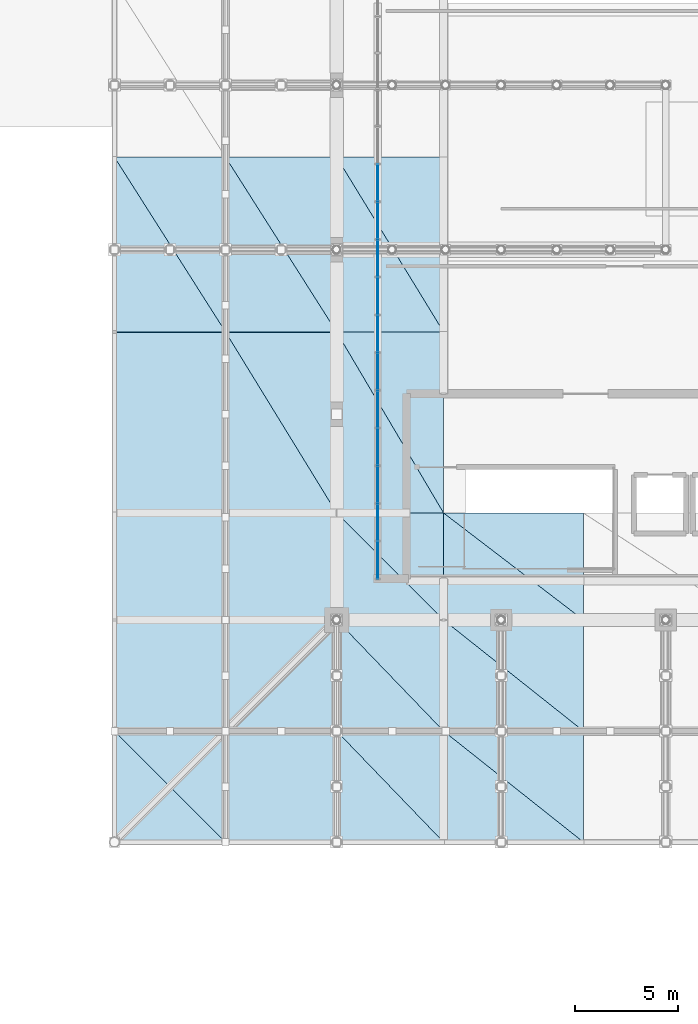
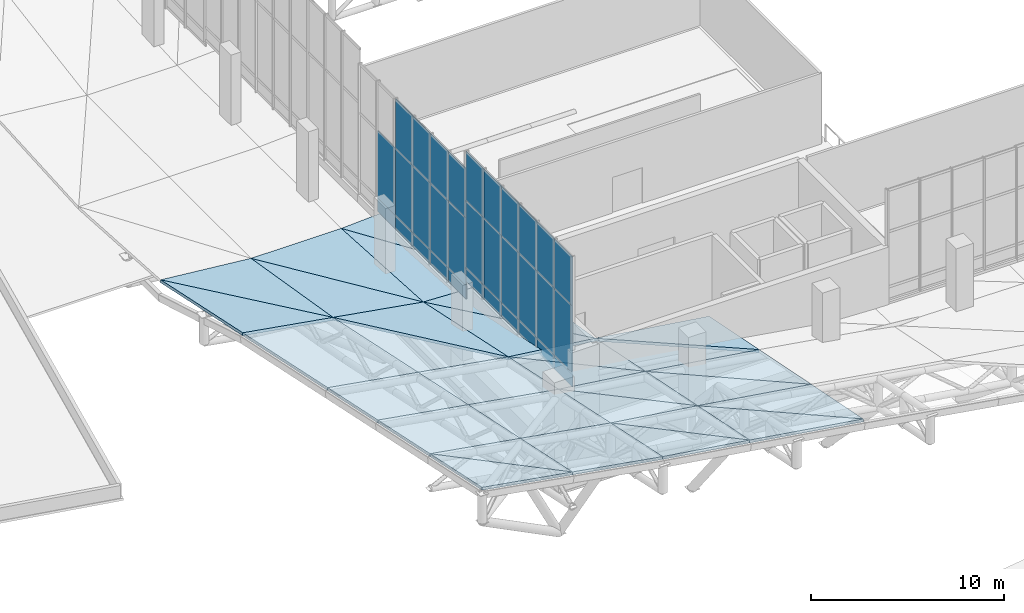
# One storey, part 102 of 137: 32 plates, 30 slabs, 3 elements without a shape of their own.
"""IFC4 building model written with IfcOpenShell, lengths in metres."""

from ifc_helpers import new_model, si_unit, direction, frame, origin, origin_2d, place, context, subcontext, project, spatial, polyline, rectangle, outline, extrude, material, layer, layer_set, type_object, element, aggregate, save


model = new_model("IFC4")

# Units and contexts
model_context = context("Model", 3, precision=1e-05, world=origin(), true_north=direction((0.0, 1.0)))
body_context = subcontext(model_context, "Body", "Model", "MODEL_VIEW")
ifc_project = project(units=[si_unit("LENGTHUNIT", "METRE"), si_unit("AREAUNIT", "SQUARE_METRE"), si_unit("VOLUMEUNIT", "CUBIC_METRE"), si_unit("PLANEANGLEUNIT", "RADIAN"), si_unit("MASSUNIT", "GRAM", prefix="KILO")], contexts=[model_context])

# Site, building, storey
site_placement = place(None, origin())
site = spatial("IfcSite", under=ifc_project, at=site_placement, CompositionType="ELEMENT")
building_placement = place(site_placement, origin())
building = spatial("IfcBuilding", under=site, at=building_placement, Name="Khorjan Park Terminus", CompositionType="ELEMENT")
storey_placement = place(building_placement, frame((0.0, 0.0, 11.4)))
storey = spatial("IfcBuildingStorey", under=building, at=storey_placement, Name="L02", CompositionType="ELEMENT", Elevation=11.4)

# Curtain wall, plates
ifc_material_1 = material(Name="Anodized Bronze Aluminium", Category="aluminium")
ifc_layer_1 = layer(ifc_material_1, 0.22)
ifc_layer_set_1 = layer_set([ifc_layer_1], Name="Anodized Bronze Aluminium")
curtain_wall_type = type_object("IfcCurtainWallType", Name="CW-CONC-CLR", PredefinedType="NOTDEFINED", material=ifc_layer_set_1)
curtain_wall_1_placement = place(storey_placement, origin())
curtain_wall_1 = element("IfcCurtainWall", 1, at=curtain_wall_1_placement, inside=storey, type_object=curtain_wall_type, Name="Unitized curtain wall CW-CL (CW-V2-W-CLR-01)", PredefinedType="NOTDEFINED")
ifc_material_2 = material(Name="Acoustic Laminated Solar Glazing", Category="glass")
ifc_layer_2 = layer(ifc_material_2, 0.036)
ifc_layer_set_2 = layer_set([ifc_layer_2], Name="Acoustic Laminated Solar Glazing")
plate_type_1 = type_object("IfcPlateType", Name="GL-VIS-36", PredefinedType="CURTAIN_PANEL", material=ifc_layer_set_2)
plate_1_placement = place(storey_placement, frame((50.0, 38.0833, 2.941), z_axis=(0.0, 0.0, 1.0), x_axis=(0.0, -1.0, 0.0)))
plate_1 = element("IfcPlate", 2, at=plate_1_placement, type_object=plate_type_1, Name="Curtain-wall panel VP-36 (CW-V2-W-CLR-01-0-2)", PredefinedType="CURTAIN_PANEL", context=body_context, shape_type="SweptSolid", body=[
    extrude(rectangle(XDim=1.8333, YDim=0.036, at=origin_2d()), origin(), (0.0, 0.0, 1.0), 4.2404),
])
plate_2_placement = place(storey_placement, frame((50.0, 38.0833, 7.1814), z_axis=(0.0, 0.0, 1.0), x_axis=(0.0, -1.0, 0.0)))
plate_2 = element("IfcPlate", 3, at=plate_2_placement, type_object=plate_type_1, Name="Curtain-wall panel VP-36 (CW-V2-W-CLR-01-0-3)", PredefinedType="CURTAIN_PANEL", context=body_context, shape_type="SweptSolid", body=[
    extrude(rectangle(XDim=1.8333, YDim=0.036, at=origin_2d()), origin(), (0.0, 0.0, 1.0), 3.1299),
])
plate_3_placement = place(storey_placement, frame((50.0, 36.25, 2.941), z_axis=(0.0, 0.0, 1.0), x_axis=(0.0, -1.0, 0.0)))
plate_3 = element("IfcPlate", 4, at=plate_3_placement, type_object=plate_type_1, Name="Curtain-wall panel VP-36 (CW-V2-W-CLR-01-1-2)", PredefinedType="CURTAIN_PANEL", context=body_context, shape_type="SweptSolid", body=[
    extrude(rectangle(XDim=1.8333, YDim=0.036, at=origin_2d()), origin(), (0.0, 0.0, 1.0), 4.2404),
])
plate_4_placement = place(storey_placement, frame((50.0, 36.25, 7.1814), z_axis=(0.0, 0.0, 1.0), x_axis=(0.0, -1.0, 0.0)))
plate_4 = element("IfcPlate", 5, at=plate_4_placement, type_object=plate_type_1, Name="Curtain-wall panel VP-36 (CW-V2-W-CLR-01-1-3)", PredefinedType="CURTAIN_PANEL", context=body_context, shape_type="SweptSolid", body=[
    extrude(rectangle(XDim=1.8333, YDim=0.036, at=origin_2d()), origin(), (0.0, 0.0, 1.0), 3.1299),
])
plate_5_placement = place(storey_placement, frame((50.0, 34.4167, 2.941), z_axis=(0.0, 0.0, 1.0), x_axis=(0.0, -1.0, 0.0)))
plate_5 = element("IfcPlate", 6, at=plate_5_placement, type_object=plate_type_1, Name="Curtain-wall panel VP-36 (CW-V2-W-CLR-01-2-2)", PredefinedType="CURTAIN_PANEL", context=body_context, shape_type="SweptSolid", body=[
    extrude(rectangle(XDim=1.8333, YDim=0.036, at=origin_2d()), origin(), (0.0, 0.0, 1.0), 4.2404),
])
plate_6_placement = place(storey_placement, frame((50.0, 34.4167, 7.1814), z_axis=(0.0, 0.0, 1.0), x_axis=(0.0, -1.0, 0.0)))
plate_6 = element("IfcPlate", 7, at=plate_6_placement, type_object=plate_type_1, Name="Curtain-wall panel VP-36 (CW-V2-W-CLR-01-2-3)", PredefinedType="CURTAIN_PANEL", context=body_context, shape_type="SweptSolid", body=[
    extrude(rectangle(XDim=1.8333, YDim=0.036, at=origin_2d()), origin(), (0.0, 0.0, 1.0), 3.1299),
])
plate_7_placement = place(storey_placement, frame((50.0, 32.5833, 2.941), z_axis=(0.0, 0.0, 1.0), x_axis=(0.0, -1.0, 0.0)))
plate_7 = element("IfcPlate", 8, at=plate_7_placement, type_object=plate_type_1, Name="Curtain-wall panel VP-36 (CW-V2-W-CLR-01-3-2)", PredefinedType="CURTAIN_PANEL", context=body_context, shape_type="SweptSolid", body=[
    extrude(rectangle(XDim=1.8333, YDim=0.036, at=origin_2d()), origin(), (0.0, 0.0, 1.0), 4.2404),
])
plate_8_placement = place(storey_placement, frame((50.0, 32.5833, 7.1814), z_axis=(0.0, 0.0, 1.0), x_axis=(0.0, -1.0, 0.0)))
plate_8 = element("IfcPlate", 9, at=plate_8_placement, type_object=plate_type_1, Name="Curtain-wall panel VP-36 (CW-V2-W-CLR-01-3-3)", PredefinedType="CURTAIN_PANEL", context=body_context, shape_type="SweptSolid", body=[
    extrude(rectangle(XDim=1.8333, YDim=0.036, at=origin_2d()), origin(), (0.0, 0.0, 1.0), 3.1299),
])
plate_9_placement = place(storey_placement, frame((50.0, 30.75, 2.941), z_axis=(0.0, 0.0, 1.0), x_axis=(0.0, -1.0, 0.0)))
plate_9 = element("IfcPlate", 10, at=plate_9_placement, type_object=plate_type_1, Name="Curtain-wall panel VP-36 (CW-V2-W-CLR-01-4-2)", PredefinedType="CURTAIN_PANEL", context=body_context, shape_type="SweptSolid", body=[
    extrude(rectangle(XDim=1.8333, YDim=0.036, at=origin_2d()), origin(), (0.0, 0.0, 1.0), 4.2404),
])
plate_10_placement = place(storey_placement, frame((50.0, 30.75, 7.1814), z_axis=(0.0, 0.0, 1.0), x_axis=(0.0, -1.0, 0.0)))
plate_10 = element("IfcPlate", 11, at=plate_10_placement, type_object=plate_type_1, Name="Curtain-wall panel VP-36 (CW-V2-W-CLR-01-4-3)", PredefinedType="CURTAIN_PANEL", context=body_context, shape_type="SweptSolid", body=[
    extrude(rectangle(XDim=1.8333, YDim=0.036, at=origin_2d()), origin(), (0.0, 0.0, 1.0), 3.1299),
])
plate_11_placement = place(storey_placement, frame((50.0, 28.9167, 2.941), z_axis=(0.0, 0.0, 1.0), x_axis=(0.0, -1.0, 0.0)))
plate_11 = element("IfcPlate", 12, at=plate_11_placement, type_object=plate_type_1, Name="Curtain-wall panel VP-36 (CW-V2-W-CLR-01-5-2)", PredefinedType="CURTAIN_PANEL", context=body_context, shape_type="SweptSolid", body=[
    extrude(rectangle(XDim=1.8333, YDim=0.036, at=origin_2d()), origin(), (0.0, 0.0, 1.0), 4.2404),
])
plate_12_placement = place(storey_placement, frame((50.0, 28.9167, 7.1814), z_axis=(0.0, 0.0, 1.0), x_axis=(0.0, -1.0, 0.0)))
plate_12 = element("IfcPlate", 13, at=plate_12_placement, type_object=plate_type_1, Name="Curtain-wall panel VP-36 (CW-V2-W-CLR-01-5-3)", PredefinedType="CURTAIN_PANEL", context=body_context, shape_type="SweptSolid", body=[
    extrude(rectangle(XDim=1.8333, YDim=0.036, at=origin_2d()), origin(), (0.0, 0.0, 1.0), 3.1299),
])

curtain_wall_2_placement = place(storey_placement, origin())
curtain_wall_2 = element("IfcCurtainWall", 14, at=curtain_wall_2_placement, inside=storey, type_object=curtain_wall_type, Name="Unitized curtain wall CW-CL (CW-V2-W-CLR-02)", PredefinedType="NOTDEFINED")
plate_13_placement = place(storey_placement, frame((50.0, 47.25, 1.8), z_axis=(0.0, 0.0, 1.0), x_axis=(0.0, -1.0, 0.0)))
plate_13 = element("IfcPlate", 15, at=plate_13_placement, type_object=plate_type_1, Name="Curtain-wall panel VP-36 (CW-V2-W-CLR-02-1-2)", PredefinedType="CURTAIN_PANEL", context=body_context, shape_type="SweptSolid", body=[
    extrude(rectangle(XDim=1.8333, YDim=0.036, at=origin_2d()), origin(), (0.0, 0.0, 1.0), 4.2512),
])
plate_14_placement = place(storey_placement, frame((50.0, 45.4167, 1.8), z_axis=(0.0, 0.0, 1.0), x_axis=(0.0, -1.0, 0.0)))
plate_14 = element("IfcPlate", 16, at=plate_14_placement, type_object=plate_type_1, Name="Curtain-wall panel VP-36 (CW-V2-W-CLR-02-2-2)", PredefinedType="CURTAIN_PANEL", context=body_context, shape_type="SweptSolid", body=[
    extrude(rectangle(XDim=1.8333, YDim=0.036, at=origin_2d()), origin(), (0.0, 0.0, 1.0), 4.2512),
])
plate_15_placement = place(storey_placement, frame((50.0, 45.4167, 6.0512), z_axis=(0.0, 0.0, 1.0), x_axis=(0.0, -1.0, 0.0)))
plate_15 = element("IfcPlate", 17, at=plate_15_placement, type_object=plate_type_1, Name="Curtain-wall panel VP-36 (CW-V2-W-CLR-02-2-3)", PredefinedType="CURTAIN_PANEL", context=body_context, shape_type="SweptSolid", body=[
    extrude(rectangle(XDim=1.8333, YDim=0.036, at=origin_2d()), origin(), (0.0, 0.0, 1.0), 3.1366),
])
plate_16_placement = place(storey_placement, frame((50.0, 43.5833, 1.8), z_axis=(0.0, 0.0, 1.0), x_axis=(0.0, -1.0, 0.0)))
plate_16 = element("IfcPlate", 18, at=plate_16_placement, type_object=plate_type_1, Name="Curtain-wall panel VP-36 (CW-V2-W-CLR-02-3-2)", PredefinedType="CURTAIN_PANEL", context=body_context, shape_type="SweptSolid", body=[
    extrude(rectangle(XDim=1.8333, YDim=0.036, at=origin_2d()), origin(), (0.0, 0.0, 1.0), 4.2512),
])
plate_17_placement = place(storey_placement, frame((50.0, 43.5833, 6.0512), z_axis=(0.0, 0.0, 1.0), x_axis=(0.0, -1.0, 0.0)))
plate_17 = element("IfcPlate", 19, at=plate_17_placement, type_object=plate_type_1, Name="Curtain-wall panel VP-36 (CW-V2-W-CLR-02-3-3)", PredefinedType="CURTAIN_PANEL", context=body_context, shape_type="SweptSolid", body=[
    extrude(rectangle(XDim=1.8333, YDim=0.036, at=origin_2d()), origin(), (0.0, 0.0, 1.0), 3.1366),
])
plate_18_placement = place(storey_placement, frame((50.0, 41.75, 1.8), z_axis=(0.0, 0.0, 1.0), x_axis=(0.0, -1.0, 0.0)))
plate_18 = element("IfcPlate", 20, at=plate_18_placement, type_object=plate_type_1, Name="Curtain-wall panel VP-36 (CW-V2-W-CLR-02-4-2)", PredefinedType="CURTAIN_PANEL", context=body_context, shape_type="SweptSolid", body=[
    extrude(rectangle(XDim=1.8333, YDim=0.036, at=origin_2d()), origin(), (0.0, 0.0, 1.0), 4.2512),
])
plate_19_placement = place(storey_placement, frame((50.0, 41.75, 6.0512), z_axis=(0.0, 0.0, 1.0), x_axis=(0.0, -1.0, 0.0)))
plate_19 = element("IfcPlate", 21, at=plate_19_placement, type_object=plate_type_1, Name="Curtain-wall panel VP-36 (CW-V2-W-CLR-02-4-3)", PredefinedType="CURTAIN_PANEL", context=body_context, shape_type="SweptSolid", body=[
    extrude(rectangle(XDim=1.8333, YDim=0.036, at=origin_2d()), origin(), (0.0, 0.0, 1.0), 3.1366),
])
plate_20_placement = place(storey_placement, frame((50.0, 39.9167, 1.8), z_axis=(0.0, 0.0, 1.0), x_axis=(0.0, -1.0, 0.0)))
plate_20 = element("IfcPlate", 22, at=plate_20_placement, type_object=plate_type_1, Name="Curtain-wall panel VP-36 (CW-V2-W-CLR-02-5-2)", PredefinedType="CURTAIN_PANEL", context=body_context, shape_type="SweptSolid", body=[
    extrude(rectangle(XDim=1.8333, YDim=0.036, at=origin_2d()), origin(), (0.0, 0.0, 1.0), 4.2512),
])
plate_21_placement = place(storey_placement, frame((50.0, 39.9167, 6.0512), z_axis=(0.0, 0.0, 1.0), x_axis=(0.0, -1.0, 0.0)))
plate_21 = element("IfcPlate", 23, at=plate_21_placement, type_object=plate_type_1, Name="Curtain-wall panel VP-36 (CW-V2-W-CLR-02-5-3)", PredefinedType="CURTAIN_PANEL", context=body_context, shape_type="SweptSolid", body=[
    extrude(rectangle(XDim=1.8333, YDim=0.036, at=origin_2d()), origin(), (0.0, 0.0, 1.0), 3.1366),
])

# Roof, slabs
ifc_material_3 = material(Name="Concrete C50/60", Category="concrete")
ifc_layer_3 = layer(ifc_material_3, 0.16)
ifc_layer_set_3 = layer_set([ifc_layer_3], Name="Concrete C50/60")
roof_type = type_object("IfcRoofType", Name="RF-SHELL-LOWER", PredefinedType="FREEFORM", material=ifc_layer_set_3)
roof_placement = place(storey_placement, origin())
roof = element("IfcRoof", 24, at=roof_placement, inside=storey, type_object=roof_type, Name="Lower 4-sided wrapping folded concrete shell roof RF-CS2 (1)", PredefinedType="FREEFORM")
ifc_layer_4 = layer(ifc_material_3, 0.16)
ifc_layer_set_4 = layer_set([ifc_layer_4], Name="Concrete C50/60")
slab_type = type_object("IfcSlabType", Name="SL-SHL-160", PredefinedType="ROOF", material=ifc_layer_set_4)
slab_1_placement = place(storey_placement, frame((37.2, 15.2, 7.96), z_axis=(0.163710777019, 0.204866318933, 0.965001851218), x_axis=(0.985913104802, 0.0, -0.167258332465)))
slab_1 = element("IfcSlab", 25, at=slab_1_placement, type_object=slab_type, Name="Lower 4-sided wrapping folded concrete shell facet RS-16 (1)", PredefinedType="ROOF", context=body_context, shape_type="SweptSolid", body=[
    extrude(outline(polyline([(0.0, 0.0), (5.477156124303925, -5.551115123125783e-17), (0.19174495233755443, 5.517016116820132), (0.0, 0.0)])), origin(), (0.0, 0.0, -1.0), 0.16),
])
slab_2_placement = place(storey_placement, frame((42.6, 15.2, 7.0439), z_axis=(0.163693984756, 0.204849797735, 0.965008207075), x_axis=(0.0, 0.978203025949, -0.207650764564)))
slab_2 = element("IfcSlab", 26, at=slab_2_placement, type_object=slab_type, Name="Lower 4-sided wrapping folded concrete shell facet RS-16 (2)", PredefinedType="ROOF", context=body_context, shape_type="SweptSolid", body=[
    extrude(outline(polyline([(0.0, 0.0), (5.520326411544884, 5.551115123125783e-17), (5.330118311204284, 5.473835664190588), (0.0, 0.0)])), origin(), (0.0, 0.0, -1.0), 0.16),
])
slab_3_placement = place(storey_placement, frame((37.2, 20.6, 6.8136), z_axis=(0.163702380927, 0.204858058376, 0.965005029208), x_axis=(0.985914673299, -1.804674e-06, -0.167249086609)))
slab_3 = element("IfcSlab", 27, at=slab_3_placement, type_object=slab_type, Name="Lower 4-sided wrapping folded concrete shell facet RS-16 (3)", PredefinedType="ROOF", context=body_context, shape_type="SweptSolid", body=[
    extrude(outline(polyline([(0.0, 0.0), (5.477139399145497, 0.0), (5.668864006792313, 5.517016823655206), (0.19170788273815503, 5.516996626369094), (0.0, 0.0)])), origin(), (0.0, 0.0, -1.0), 0.16),
])
slab_4_placement = place(storey_placement, frame((37.2, 26.0, 5.6673), z_axis=(0.163711030587, 0.204859075678, 0.965003345889), x_axis=(0.985913104802, 0.0, -0.167258332465)))
slab_4 = element("IfcSlab", 28, at=slab_4_placement, type_object=slab_type, Name="Lower 4-sided wrapping folded concrete shell facet RS-16 (4)", PredefinedType="ROOF", context=body_context, shape_type="SweptSolid", body=[
    extrude(outline(polyline([(0.0, 0.0), (5.477156124303924, 2.7755575615628914e-17), (5.661792597511728, 5.312673957882357), (0.18463647320780374, 5.312673957882357), (0.0, 0.0)])), origin(), (0.0, 0.0, -1.0), 0.16),
])
slab_5_placement = place(storey_placement, frame((37.2, 31.2, 4.5634), z_axis=(0.163710804262, 0.204865540733, 0.965002011805), x_axis=(0.985913104802, 0.0, -0.167258332465)))
slab_5 = element("IfcSlab", 29, at=slab_5_placement, type_object=slab_type, Name="Lower 4-sided wrapping folded concrete shell facet RS-16 (5)", PredefinedType="ROOF", context=body_context, shape_type="SweptSolid", body=[
    extrude(outline(polyline([(0.0, 0.0), (5.477156124303924, 2.7755575615628914e-17), (5.789628141014514, 8.990691434966102), (0.31247201671058894, 8.990691434966102), (0.0, 0.0)])), origin(), (0.0, 0.0, -1.0), 0.16),
])
slab_6_placement = place(storey_placement, frame((37.2, 40.0, 2.6952), z_axis=(0.16371084753, 0.204864304769, 0.965002266853), x_axis=(0.985913104802, 0.0, -0.167258332465)))
slab_6 = element("IfcSlab", 30, at=slab_6_placement, type_object=slab_type, Name="Lower 4-sided wrapping folded concrete shell facet RS-16 (6)", PredefinedType="ROOF", context=body_context, shape_type="SweptSolid", body=[
    extrude(outline(polyline([(0.0, 0.0), (5.477156124303924, 0.0), (0.3018176609325865, 8.684188295376211), (0.0, 0.0)])), origin(), (0.0, 0.0, -1.0), 0.16),
])
slab_7_placement = place(storey_placement, frame((42.6, 40.0, 1.7791), z_axis=(0.096483848537, 0.163905438783, 0.981746338984), x_axis=(0.0, 0.986348096439, -0.164673715724)))
slab_7 = element("IfcSlab", 31, at=slab_7_placement, type_object=slab_type, Name="Lower 4-sided wrapping folded concrete shell facet RS-16 (7)", PredefinedType="ROOF", context=body_context, shape_type="SweptSolid", body=[
    extrude(outline(polyline([(0.0, 0.0), (8.61764728971893, -2.7755575615628914e-17), (8.53025494878401, 5.4253115181292495), (0.0, 0.0)])), origin(), (0.0, 0.0, -1.0), 0.16),
])
slab_8_placement = place(storey_placement, frame((42.6, 15.2, 7.0439), z_axis=(0.163702380927, 0.204858058376, 0.965005029208), x_axis=(0.985914673299, -1.804674e-06, -0.167249086609)))
slab_8 = element("IfcSlab", 32, at=slab_8_placement, type_object=slab_type, Name="Lower 4-sided wrapping folded concrete shell facet RS-16 (19)", PredefinedType="ROOF", context=body_context, shape_type="SweptSolid", body=[
    extrude(outline(polyline([(0.0, 0.0), (5.477139399145497, -2.7755575615628914e-17), (5.6688640067923135, 5.51701682365521), (0.191707882738155, 5.516996626369097), (0.0, 0.0)])), origin(), (0.0, 0.0, -1.0), 0.16),
])
slab_9_placement = place(storey_placement, frame((42.6, 20.6, 5.8976), z_axis=(0.163710777019, 0.204866318933, 0.965001851218), x_axis=(0.985913104802, 0.0, -0.167258332465)))
slab_9 = element("IfcSlab", 33, at=slab_9_placement, type_object=slab_type, Name="Lower 4-sided wrapping folded concrete shell facet RS-16 (20)", PredefinedType="ROOF", context=body_context, shape_type="SweptSolid", body=[
    extrude(outline(polyline([(0.0, 0.0), (5.477156124303925, -2.7755575615628914e-17), (5.66890107664148, 5.5170161168201295), (0.19174495233755443, 5.5170161168201295), (0.0, 0.0)])), origin(), (0.0, 0.0, -1.0), 0.16),
])
slab_10_placement = place(storey_placement, frame((42.6, 26.0, 4.7512), z_axis=(0.163711030587, 0.204859075678, 0.965003345889), x_axis=(0.985913104802, 0.0, -0.167258332465)))
slab_10 = element("IfcSlab", 34, at=slab_10_placement, type_object=slab_type, Name="Lower 4-sided wrapping folded concrete shell facet RS-16 (21)", PredefinedType="ROOF", context=body_context, shape_type="SweptSolid", body=[
    extrude(outline(polyline([(0.0, 0.0), (5.477156124303924, -5.551115123125783e-17), (5.661792597511729, 5.312673957882357), (0.18463647320780371, 5.312673957882357), (0.0, 0.0)])), origin(), (0.0, 0.0, -1.0), 0.16),
])
slab_11_placement = place(storey_placement, frame((42.6, 31.2, 3.6473), z_axis=(0.163710804262, 0.204865540733, 0.965002011805), x_axis=(0.985913104802, 0.0, -0.167258332465)))
slab_11 = element("IfcSlab", 35, at=slab_11_placement, type_object=slab_type, Name="Lower 4-sided wrapping folded concrete shell facet RS-16 (22)", PredefinedType="ROOF", context=body_context, shape_type="SweptSolid", body=[
    extrude(outline(polyline([(0.0, 0.0), (5.477156124303925, 5.551115123125783e-17), (0.31247201671058894, 8.990691434966104), (0.0, 0.0)])), origin(), (0.0, 0.0, -1.0), 0.16),
])
slab_12_placement = place(storey_placement, frame((48.0, 31.2, 2.7312), z_axis=(0.163693780464, 0.204855634297, 0.965007002738), x_axis=(0.0, 0.978201771532, -0.207656673795)))
slab_12 = element("IfcSlab", 36, at=slab_12_placement, type_object=slab_type, Name="Lower 4-sided wrapping folded concrete shell facet RS-16 (23)", PredefinedType="ROOF", context=body_context, shape_type="SweptSolid", body=[
    extrude(outline(polyline([(0.0, 0.0), (8.996099021798283, 1.1102230246251565e-16), (8.805885508601767, 5.473835476098769), (0.0, 0.0)])), origin(), (0.0, 0.0, -1.0), 0.16),
])
slab_13_placement = place(storey_placement, frame((42.6, 40.0, 1.7791), z_axis=(0.165020025459, 0.162416074736, 0.972825477598), x_axis=(0.985916115378, 0.0, -0.167240585497)))
slab_13 = element("IfcSlab", 37, at=slab_13_placement, type_object=slab_type, Name="Lower 4-sided wrapping folded concrete shell facet RS-16 (24)", PredefinedType="ROOF", context=body_context, shape_type="SweptSolid", body=[
    extrude(outline(polyline([(0.0, 0.0), (5.477139399358026, 0.0), (0.23733111487948647, 8.614378605094512), (0.0, 0.0)])), origin(), (0.0, 0.0, -1.0), 0.16),
])
slab_14_placement = place(storey_placement, frame((48.0, 40.0, 0.8631), z_axis=(0.0, 0.059084831392, 0.998252965285), x_axis=(0.0, 0.998252965285, -0.059084831392)))
slab_14 = element("IfcSlab", 38, at=slab_14_placement, type_object=slab_type, Name="Lower 4-sided wrapping folded concrete shell facet RS-16 (25)", PredefinedType="ROOF", context=body_context, shape_type="SweptSolid", body=[
    extrude(outline(polyline([(0.0, 0.0), (8.514875783591913, 0.0), (8.514875783591913, 5.399999999999998), (0.0, 0.0)])), origin(), (0.0, 0.0, -1.0), 0.16),
])
slab_15_placement = place(storey_placement, frame((48.0, 15.2, 6.1279), z_axis=(0.144665218122, 0.205483566718, 0.967909333809), x_axis=(0.989014339855, 0.0, -0.147819604795)))
slab_15 = element("IfcSlab", 39, at=slab_15_placement, type_object=slab_type, Name="Lower 4-sided wrapping folded concrete shell facet RS-16 (35)", PredefinedType="ROOF", context=body_context, shape_type="SweptSolid", body=[
    extrude(outline(polyline([(0.0, 0.0), (5.257759964091175, 0.0), (0.16946039493722123, 5.5177455663112775), (0.0, 0.0)])), origin(), (0.0, 0.0, -1.0), 0.16),
])
slab_16_placement = place(storey_placement, frame((53.2, 15.2, 5.3507), z_axis=(0.136779491301, 0.198073648753, 0.970596826921), x_axis=(0.0, 0.979805509738, -0.199952902172)))
slab_16 = element("IfcSlab", 40, at=slab_16_placement, type_object=slab_type, Name="Lower 4-sided wrapping folded concrete shell facet RS-16 (36)", PredefinedType="ROOF", context=body_context, shape_type="SweptSolid", body=[
    extrude(outline(polyline([(0.0, 0.0), (5.51129785077889, -2.7755575615628914e-17), (5.364772364066923, 5.249335779100424), (0.0, 0.0)])), origin(), (0.0, 0.0, -1.0), 0.16),
])
slab_17_placement = place(storey_placement, frame((48.0, 20.6, 4.9815), z_axis=(0.136559457801, 0.205722637827, 0.969035453825), x_axis=(0.990215834494, 0.0, -0.139544262215)))
slab_17 = element("IfcSlab", 41, at=slab_17_placement, type_object=slab_type, Name="Lower 4-sided wrapping folded concrete shell facet RS-16 (37)", PredefinedType="ROOF", context=body_context, shape_type="SweptSolid", body=[
    extrude(outline(polyline([(0.0, 0.0), (5.251380374720539, -2.7755575615628914e-17), (0.15997354220312132, 5.518028762682827), (0.0, 0.0)])), origin(), (0.0, 0.0, -1.0), 0.16),
])
slab_18_placement = place(storey_placement, frame((53.2, 20.6, 4.2487), z_axis=(0.128633560246, 0.198291732205, 0.971665475417), x_axis=(0.0, 0.979805509738, -0.199952902172)))
slab_18 = element("IfcSlab", 42, at=slab_18_placement, type_object=slab_type, Name="Lower 4-sided wrapping folded concrete shell facet RS-16 (38)", PredefinedType="ROOF", context=body_context, shape_type="SweptSolid", body=[
    extrude(outline(polyline([(0.0, 0.0), (5.511297850778887, 0.0), (5.373650272923376, 5.243562501230488), (0.0, 0.0)])), origin(), (0.0, 0.0, -1.0), 0.16),
])
slab_19_placement = place(storey_placement, frame((48.0, 26.0, 3.8351), z_axis=(0.128426377093, 0.205941135492, 0.970100466127), x_axis=(0.991350681142, 0.0, -0.131239578634)))
slab_19 = element("IfcSlab", 43, at=slab_19_placement, type_object=slab_type, Name="Lower 4-sided wrapping folded concrete shell facet RS-16 (39)", PredefinedType="ROOF", context=body_context, shape_type="SweptSolid", body=[
    extrude(outline(polyline([(0.0, 0.0), (5.245368867868115, 0.0), (0.14487537085430124, 5.313906880715903), (0.0, 0.0)])), origin(), (0.0, 0.0, -1.0), 0.16),
])
slab_20_placement = place(storey_placement, frame((53.2, 26.0, 3.1467), z_axis=(0.120774798087, 0.198491893651, 0.97263272426), x_axis=(0.0, 0.979804962844, -0.199955582033)))
slab_20 = element("IfcSlab", 44, at=slab_20_placement, type_object=slab_type, Name="Lower 4-sided wrapping folded concrete shell facet RS-16 (40)", PredefinedType="ROOF", context=body_context, shape_type="SweptSolid", body=[
    extrude(outline(polyline([(0.0, 0.0), (5.307178670442516, 0.0), (5.178067351123985, 5.2383450399170775), (0.0, 0.0)])), origin(), (0.0, 0.0, -1.0), 0.16),
])
slab_21_placement = place(storey_placement, frame((48.0, 31.2, 2.7312), z_axis=(0.120580057686, 0.20614152892, 0.971064426155), x_axis=(0.992378547218, 0.0, -0.123226697681)))
slab_21 = element("IfcSlab", 45, at=slab_21_placement, type_object=slab_type, Name="Lower 4-sided wrapping folded concrete shell facet RS-16 (41)", PredefinedType="ROOF", context=body_context, shape_type="SweptSolid", body=[
    extrude(outline(polyline([(0.0, 0.0), (5.239935924226558, -2.7755575615628914e-17), (0.23019979393699283, 8.993153265950236), (0.0, 0.0)])), origin(), (0.0, 0.0, -1.0), 0.16),
])
slab_22_placement = place(storey_placement, frame((53.2, 31.2, 2.0855), z_axis=(0.039658612893, 0.160433667371, 0.986249579365), x_axis=(0.0, 0.987026084873, -0.160559981875)))
slab_22 = element("IfcSlab", 46, at=slab_22_placement, type_object=slab_type, Name="Lower 4-sided wrapping folded concrete shell facet RS-16 (42)", PredefinedType="ROOF", context=body_context, shape_type="SweptSolid", body=[
    extrude(outline(polyline([(0.0, 0.0), (8.915671160939036, 6.938893903907228e-18), (8.882098068729064, 5.204094124579175), (0.0, 0.0)])), origin(), (0.0, 0.0, -1.0), 0.16),
])
slab_23_placement = place(storey_placement, frame((48.0, 40.0, 0.8631), z_axis=(0.040108986249, 0.059037286469, 0.997449681953), x_axis=(0.999192495237, 0.0, -0.040179067453)))
slab_23 = element("IfcSlab", 47, at=slab_23_placement, type_object=slab_type, Name="Lower 4-sided wrapping folded concrete shell facet RS-16 (43)", PredefinedType="ROOF", context=body_context, shape_type="SweptSolid", body=[
    extrude(outline(polyline([(0.0, 0.0), (5.204202418238556, 1.734723475976807e-18), (0.02021408883546187, 8.514851789703245), (0.0, 0.0)])), origin(), (0.0, 0.0, -1.0), 0.16),
])
slab_24_placement = place(storey_placement, frame((53.2, 40.0, 0.654), z_axis=(-0.056448312253, 0.0, 0.998405522843), x_axis=(0.0, 1.0, 0.0)))
slab_24 = element("IfcSlab", 48, at=slab_24_placement, type_object=slab_type, Name="Lower 4-sided wrapping folded concrete shell facet RS-16 (44)", PredefinedType="ROOF", context=body_context, shape_type="SweptSolid", body=[
    extrude(outline(polyline([(0.0, 0.0), (8.5, 0.0), (8.5, 5.2083045225869835), (0.0, 0.0)])), origin(), (0.0, 0.0, -1.0), 0.16),
])
slab_25_placement = place(storey_placement, frame((53.2, 15.2, 5.3507), z_axis=(0.148866760064, 0.197724879688, 0.968887795207), x_axis=(0.988401253696, 0.0, -0.151864945568)))
slab_25 = element("IfcSlab", 49, at=slab_25_placement, type_object=slab_type, Name="Lower 4-sided wrapping folded concrete shell facet RS-16 (57)", PredefinedType="ROOF", context=body_context, shape_type="SweptSolid", body=[
    extrude(outline(polyline([(0.0, 0.0), (6.879797020261569, 2.7755575615628914e-17), (0.1673551700157895, 5.508756324894851), (0.0, 0.0)])), origin(), (0.0, 0.0, -1.0), 0.16),
])
slab_26_placement = place(storey_placement, frame((60.0, 15.2, 4.3059), z_axis=(0.146315862219, 0.194523612236, 0.969923828321), x_axis=(0.0, 0.980475784127, -0.196639865594)))
slab_26 = element("IfcSlab", 50, at=slab_26_placement, type_object=slab_type, Name="Lower 4-sided wrapping folded concrete shell facet RS-16 (58)", PredefinedType="ROOF", context=body_context, shape_type="SweptSolid", body=[
    extrude(outline(polyline([(0.0, 0.0), (5.507530208723328, 0.0), (5.305817034596678, 6.873978283016591), (0.0, 0.0)])), origin(), (0.0, 0.0, -1.0), 0.16),
])
slab_27_placement = place(storey_placement, frame((53.2, 20.6, 4.2487), z_axis=(0.146217976754, 0.19780388759, 0.969274948262), x_axis=(0.98881228291, 0.0, -0.149165241148)))
slab_27 = element("IfcSlab", 51, at=slab_27_placement, type_object=slab_type, Name="Lower 4-sided wrapping folded concrete shell facet RS-16 (59)", PredefinedType="ROOF", context=body_context, shape_type="SweptSolid", body=[
    extrude(outline(polyline([(0.0, 0.0), (6.876937228156148, -2.7755575615628914e-17), (0.16438009574548543, 5.50884590310191), (0.0, 0.0)])), origin(), (0.0, 0.0, -1.0), 0.16),
])
slab_28_placement = place(storey_placement, frame((60.0, 20.6, 3.2229), z_axis=(0.143662230538, 0.19460007699, 0.970305093026), x_axis=(0.0, 0.980475784127, -0.196639865594)))
slab_28 = element("IfcSlab", 52, at=slab_28_placement, type_object=slab_type, Name="Lower 4-sided wrapping folded concrete shell facet RS-16 (60)", PredefinedType="ROOF", context=body_context, shape_type="SweptSolid", body=[
    extrude(outline(polyline([(0.0, 0.0), (5.507530208723325, 2.7755575615628914e-17), (5.309553192042965, 6.871277271429695), (0.0, 0.0)])), origin(), (0.0, 0.0, -1.0), 0.16),
])
slab_29_placement = place(storey_placement, frame((53.2, 26.0, 3.1467), z_axis=(0.143565966375, 0.197884192093, 0.969654917906), x_axis=(0.989216268008, 0.0, -0.146462196857)))
slab_29 = element("IfcSlab", 53, at=slab_29_placement, type_object=slab_type, Name="Lower 4-sided wrapping folded concrete shell facet RS-16 (61)", PredefinedType="ROOF", context=body_context, shape_type="SweptSolid", body=[
    extrude(outline(polyline([(0.0, 0.0), (6.874128762250528, 0.0), (0.15542568330509568, 5.304902289106665), (0.0, 0.0)])), origin(), (0.0, 0.0, -1.0), 0.16),
])
slab_30_placement = place(storey_placement, frame((60.0, 26.0, 2.1399), z_axis=(0.141103373519, 0.194674451587, 0.97066559426), x_axis=(0.0, 0.980475380201, -0.196641879618)))
slab_30 = element("IfcSlab", 54, at=slab_30_placement, type_object=slab_type, Name="Lower 4-sided wrapping folded concrete shell facet RS-16 (62)", PredefinedType="ROOF", context=body_context, shape_type="SweptSolid", body=[
    extrude(outline(polyline([(0.0, 0.0), (5.303549793298823, -2.7755575615628914e-17), (5.109169295296791, 6.868722477433227), (0.0, 0.0)])), origin(), (0.0, 0.0, -1.0), 0.16),
])
aggregate(roof, [slab_1, slab_2, slab_3, slab_4, slab_5, slab_6, slab_7, slab_8, slab_9, slab_10, slab_11, slab_12, slab_13, slab_14, slab_15, slab_16, slab_17, slab_18, slab_19, slab_20, slab_21, slab_22, slab_23, slab_24, slab_25, slab_26, slab_27, slab_28, slab_29, slab_30])

# Plate
ifc_material_4 = material(Name="Insulated Anodized Bronze Spandrel Panel")
ifc_layer_5 = layer(ifc_material_4, 0.045)
ifc_layer_set_5 = layer_set([ifc_layer_5], Name="Insulated Anodized Bronze Spandrel Panel")
plate_type_2 = type_object("IfcPlateType", Name="SP-AL-45", PredefinedType="CURTAIN_PANEL", material=ifc_layer_set_5)
plate_22_placement = place(storey_placement, frame((50.0, 38.0833, 2.081), z_axis=(0.0, 0.0, 1.0), x_axis=(0.0, -1.0, 0.0)))
plate_22 = element("IfcPlate", 55, at=plate_22_placement, type_object=plate_type_2, Name="Curtain-wall panel SP-A45 (CW-V2-W-CLR-01-0-1)", PredefinedType="CURTAIN_PANEL", context=body_context, shape_type="SweptSolid", body=[
    extrude(rectangle(XDim=1.8333, YDim=0.045, at=origin_2d()), origin(), (0.0, 0.0, 1.0), 0.86),
])

plate_23_placement = place(storey_placement, frame((50.0, 36.25, 2.081), z_axis=(0.0, 0.0, 1.0), x_axis=(0.0, -1.0, 0.0)))
plate_23 = element("IfcPlate", 56, at=plate_23_placement, type_object=plate_type_2, Name="Curtain-wall panel SP-A45 (CW-V2-W-CLR-01-1-1)", PredefinedType="CURTAIN_PANEL", context=body_context, shape_type="SweptSolid", body=[
    extrude(rectangle(XDim=1.8333, YDim=0.045, at=origin_2d()), origin(), (0.0, 0.0, 1.0), 0.86),
])

plate_24_placement = place(storey_placement, frame((50.0, 34.4167, 2.081), z_axis=(0.0, 0.0, 1.0), x_axis=(0.0, -1.0, 0.0)))
plate_24 = element("IfcPlate", 57, at=plate_24_placement, type_object=plate_type_2, Name="Curtain-wall panel SP-A45 (CW-V2-W-CLR-01-2-1)", PredefinedType="CURTAIN_PANEL", context=body_context, shape_type="SweptSolid", body=[
    extrude(rectangle(XDim=1.8333, YDim=0.045, at=origin_2d()), origin(), (0.0, 0.0, 1.0), 0.86),
])

plate_25_placement = place(storey_placement, frame((50.0, 32.5833, 2.081), z_axis=(0.0, 0.0, 1.0), x_axis=(0.0, -1.0, 0.0)))
plate_25 = element("IfcPlate", 58, at=plate_25_placement, type_object=plate_type_2, Name="Curtain-wall panel SP-A45 (CW-V2-W-CLR-01-3-1)", PredefinedType="CURTAIN_PANEL", context=body_context, shape_type="SweptSolid", body=[
    extrude(rectangle(XDim=1.8333, YDim=0.045, at=origin_2d()), origin(), (0.0, 0.0, 1.0), 0.86),
])

plate_26_placement = place(storey_placement, frame((50.0, 30.75, 2.081), z_axis=(0.0, 0.0, 1.0), x_axis=(0.0, -1.0, 0.0)))
plate_26 = element("IfcPlate", 59, at=plate_26_placement, type_object=plate_type_2, Name="Curtain-wall panel SP-A45 (CW-V2-W-CLR-01-4-1)", PredefinedType="CURTAIN_PANEL", context=body_context, shape_type="SweptSolid", body=[
    extrude(rectangle(XDim=1.8333, YDim=0.045, at=origin_2d()), origin(), (0.0, 0.0, 1.0), 0.86),
])

plate_27_placement = place(storey_placement, frame((50.0, 28.9167, 2.081), z_axis=(0.0, 0.0, 1.0), x_axis=(0.0, -1.0, 0.0)))
plate_27 = element("IfcPlate", 60, at=plate_27_placement, type_object=plate_type_2, Name="Curtain-wall panel SP-A45 (CW-V2-W-CLR-01-5-1)", PredefinedType="CURTAIN_PANEL", context=body_context, shape_type="SweptSolid", body=[
    extrude(rectangle(XDim=1.8333, YDim=0.045, at=origin_2d()), origin(), (0.0, 0.0, 1.0), 0.86),
])

aggregate(curtain_wall_1, [plate_22, plate_1, plate_2, plate_23, plate_3, plate_4, plate_24, plate_5, plate_6, plate_25, plate_7, plate_8, plate_26, plate_9, plate_10, plate_27, plate_11, plate_12])

plate_28_placement = place(storey_placement, frame((50.0, 47.25, 0.94), z_axis=(0.0, 0.0, 1.0), x_axis=(0.0, -1.0, 0.0)))
plate_28 = element("IfcPlate", 61, at=plate_28_placement, type_object=plate_type_2, Name="Curtain-wall panel SP-A45 (CW-V2-W-CLR-02-1-1)", PredefinedType="CURTAIN_PANEL", context=body_context, shape_type="SweptSolid", body=[
    extrude(rectangle(XDim=1.8333, YDim=0.045, at=origin_2d()), origin(), (0.0, 0.0, 1.0), 0.86),
])

plate_29_placement = place(storey_placement, frame((50.0, 45.4167, 0.94), z_axis=(0.0, 0.0, 1.0), x_axis=(0.0, -1.0, 0.0)))
plate_29 = element("IfcPlate", 62, at=plate_29_placement, type_object=plate_type_2, Name="Curtain-wall panel SP-A45 (CW-V2-W-CLR-02-2-1)", PredefinedType="CURTAIN_PANEL", context=body_context, shape_type="SweptSolid", body=[
    extrude(rectangle(XDim=1.8333, YDim=0.045, at=origin_2d()), origin(), (0.0, 0.0, 1.0), 0.86),
])

plate_30_placement = place(storey_placement, frame((50.0, 43.5833, 0.94), z_axis=(0.0, 0.0, 1.0), x_axis=(0.0, -1.0, 0.0)))
plate_30 = element("IfcPlate", 63, at=plate_30_placement, type_object=plate_type_2, Name="Curtain-wall panel SP-A45 (CW-V2-W-CLR-02-3-1)", PredefinedType="CURTAIN_PANEL", context=body_context, shape_type="SweptSolid", body=[
    extrude(rectangle(XDim=1.8333, YDim=0.045, at=origin_2d()), origin(), (0.0, 0.0, 1.0), 0.86),
])

plate_31_placement = place(storey_placement, frame((50.0, 41.75, 0.94), z_axis=(0.0, 0.0, 1.0), x_axis=(0.0, -1.0, 0.0)))
plate_31 = element("IfcPlate", 64, at=plate_31_placement, type_object=plate_type_2, Name="Curtain-wall panel SP-A45 (CW-V2-W-CLR-02-4-1)", PredefinedType="CURTAIN_PANEL", context=body_context, shape_type="SweptSolid", body=[
    extrude(rectangle(XDim=1.8333, YDim=0.045, at=origin_2d()), origin(), (0.0, 0.0, 1.0), 0.86),
])

plate_32_placement = place(storey_placement, frame((50.0, 39.9167, 0.94), z_axis=(0.0, 0.0, 1.0), x_axis=(0.0, -1.0, 0.0)))
plate_32 = element("IfcPlate", 65, at=plate_32_placement, type_object=plate_type_2, Name="Curtain-wall panel SP-A45 (CW-V2-W-CLR-02-5-1)", PredefinedType="CURTAIN_PANEL", context=body_context, shape_type="SweptSolid", body=[
    extrude(rectangle(XDim=1.8333, YDim=0.045, at=origin_2d()), origin(), (0.0, 0.0, 1.0), 0.86),
])

aggregate(curtain_wall_2, [plate_28, plate_13, plate_29, plate_14, plate_15, plate_30, plate_16, plate_17, plate_31, plate_18, plate_19, plate_32, plate_20, plate_21])

save(model, "model.ifc")
